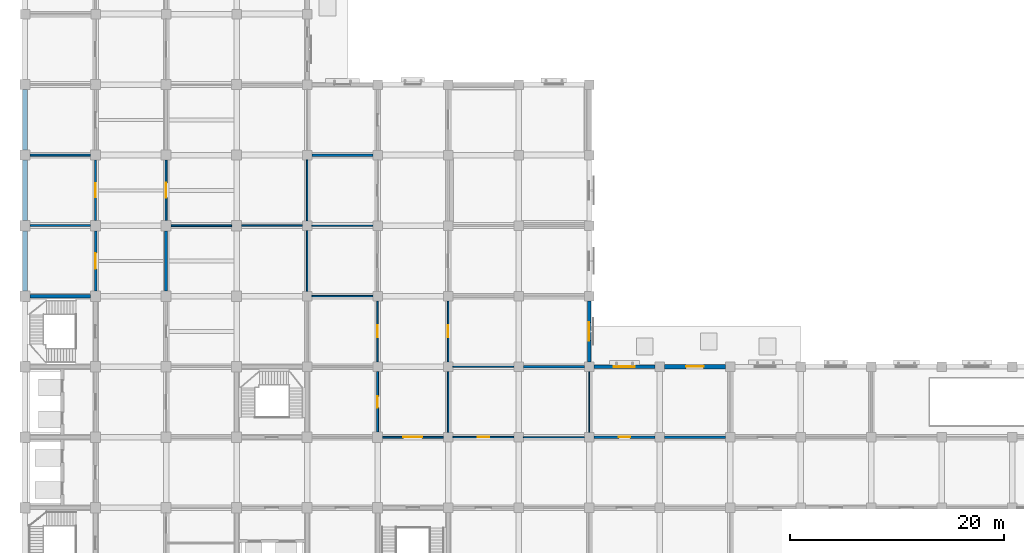
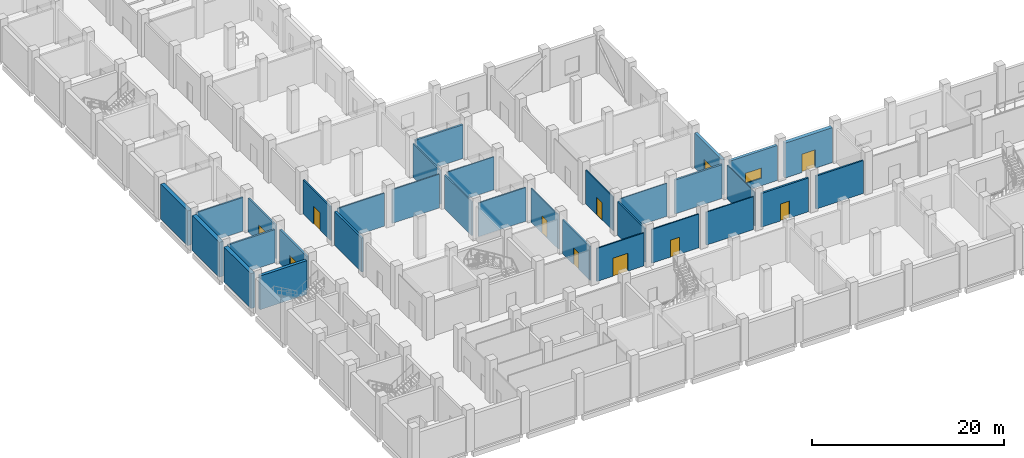
# One storey, part 10 of 28: 32 walls, 10 doors, 2 windows, 12 openings.
"""IFC4 building model written with IfcOpenShell, lengths in metres."""

from ifc_helpers import new_model, si_unit, direction, frame, frame_2d, origin, place, context, subcontext, project, spatial, rectangle, extrude, material, layer, layer_set, type_object, element, fill, save


model = new_model("IFC4")

# Units and contexts
model_context = context("Model", 3, precision=1e-05, world=origin(), true_north=direction((0.0, 1.0)))
body_context = subcontext(model_context, "Body", "Model", "MODEL_VIEW")
ifc_project = project(units=[si_unit("LENGTHUNIT", "METRE"), si_unit("AREAUNIT", "SQUARE_METRE"), si_unit("VOLUMEUNIT", "CUBIC_METRE"), si_unit("PLANEANGLEUNIT", "RADIAN"), si_unit("MASSUNIT", "GRAM", prefix="KILO")], contexts=[model_context])

# Site, building, storey
site_placement = place(None, origin())
site = spatial("IfcSite", under=ifc_project, at=site_placement, CompositionType="ELEMENT")
building_placement = place(site_placement, origin())
building = spatial("IfcBuilding", under=site, at=building_placement, Name="Rusizi Kubbe Research Institute", CompositionType="ELEMENT")
storey_placement = place(building_placement, origin())
storey = spatial("IfcBuildingStorey", under=building, at=storey_placement, Name="L00", CompositionType="ELEMENT", Elevation=0.0)

# Wall
ifc_material_1 = material(Name="Concrete C45/55", Category="concrete")
ifc_layer_1 = layer(ifc_material_1, 0.35009765625)
ifc_layer_set_1 = layer_set([ifc_layer_1], Name="Concrete C45/55")
wall_type_1 = type_object("IfcWallType", Name="CRW-01", PredefinedType="SHEAR", material=ifc_layer_set_1)
wall_1_placement = place(storey_placement, frame((0.47509765625, 33.0, 0.0), z_axis=(0.0, 0.0, 1.0), x_axis=(1.0, 0.0, 0.0)))
element("IfcWall", 1, at=wall_1_placement, inside=storey, type_object=wall_type_1, Name="Stair Core Shear Wall ST2 L00 N", PredefinedType="SHEAR", context=body_context, shape_type="SweptSolid", body=[
    extrude(rectangle(XDim=5.64990234375, YDim=0.35009765625, at=frame_2d((2.824951171875, 0.0))), origin(), (0.0, 0.0, 1.0), 4.300048828125),
])

# Wall, opening, door
ifc_material_2 = material(Name="Volcanic Basalt Ashlar Masonry", Category="masonry")
ifc_layer_2 = layer(ifc_material_2, 0.43994140625)
ifc_layer_set_2 = layer_set([ifc_layer_2], Name="Volcanic Basalt Ashlar Masonry")
wall_type_2 = type_object("IfcWallType", Name="EW-01", PredefinedType="SOLIDWALL", material=ifc_layer_set_2)
wall_2_placement = place(storey_placement, frame((59.85009765625, 26.39990234375, 0.0), z_axis=(0.0, 0.0, 1.0), x_axis=(1.0, 0.0, 0.0)))
wall_2 = element("IfcWall", 2, at=wall_2_placement, inside=storey, type_object=wall_type_2, Name="Portal Vestibule Infill Wall E8", PredefinedType="SOLIDWALL", context=body_context, shape_type="SweptSolid", body=[
    extrude(rectangle(XDim=5.699951171875, YDim=0.43994140625, at=frame_2d((2.85009765625, 0.0))), origin(), (0.0, 0.0, 1.0), 4.449951171875),
])
opening_1_placement = place(wall_2_placement, frame((2.02490234375, 0.0, 0.0)))
opening_1 = element("IfcOpeningElement", 3, at=opening_1_placement, cuts=wall_2, Name="Opening D-41", PredefinedType="OPENING", context=body_context, shape_type="SweptSolid", body=[
    extrude(rectangle(XDim=1.64990234375, YDim=2.35009765625, at=frame_2d((0.824951171875, 1.175048828125))), frame((0.0, 0.22998046875, 0.0), z_axis=(0.0, -1.0, 0.0), x_axis=(1.0, 0.0, 0.0)), (0.0, 0.0, 1.0), 0.4599609375),
])
ifc_material_3 = material(Name="Insulated Steel and Laminated Safety Glass", Category="steel")
door_type_1 = type_object("IfcDoorType", Name="ED-11", OperationType="DOUBLE_DOOR_SINGLE_SWING", PredefinedType="DOOR", material=ifc_material_3)
door_1_placement = place(opening_1_placement, origin())
door_1 = element("IfcDoor", 4, at=door_1_placement, inside=storey, type_object=door_type_1, Name="Pedestrian Exit Cloister South Arcade Door D-41", OperationType="DOUBLE_DOOR_SINGLE_SWING", OverallHeight=2.35009765625, OverallWidth=1.64990234375, PredefinedType="DOOR", context=body_context, shape_type="SweptSolid", body=[
    extrude(rectangle(XDim=1.64990234375, YDim=2.35009765625, at=frame_2d((0.824951171875, 1.175048828125))), frame((0.0, 0.02490234375, 0.0), z_axis=(0.0, -1.0, 0.0), x_axis=(1.0, 0.0, 0.0)), (0.0, 0.0, 1.0), 0.050048828125),
])
fill(opening_1, door_1)

# Wall, opening, window
ifc_material_4 = material(Name="Volcanic Basalt Ashlar Masonry", Category="masonry")
ifc_layer_3 = layer(ifc_material_4, 0.324951171875)
ifc_layer_set_3 = layer_set([ifc_layer_3], Name="Volcanic Basalt Ashlar Masonry")
wall_type_3 = type_object("IfcWallType", Name="EW-08", PredefinedType="SOLIDWALL", material=ifc_layer_set_3)
wall_3_placement = place(storey_placement, frame((52.800048828125, 26.85009765625, 0.0), z_axis=(0.0, 0.0, 1.0), x_axis=(0.0, 1.0, 0.0)))
wall_3 = element("IfcWall", 5, at=wall_3_placement, inside=storey, type_object=wall_type_3, Name="Ablaq Stone Exterior Wall L00 V8-4", PredefinedType="SOLIDWALL", context=body_context, shape_type="SweptSolid", body=[
    extrude(rectangle(XDim=5.699951171875, YDim=0.324951171875, at=frame_2d((2.85009765625, 0.0))), origin(), (0.0, 0.0, 1.0), 4.449951171875),
])
opening_2_placement = place(wall_3_placement, frame((1.989990234375, 0.0, 0.949951171875)))
opening_2 = element("IfcOpeningElement", 6, at=opening_2_placement, cuts=wall_3, Name="Opening WN-21", PredefinedType="OPENING", context=body_context, shape_type="SweptSolid", body=[
    extrude(rectangle(XDim=1.719970703125, YDim=1.300048828125, at=frame_2d((0.85986328125, 0.64990234375))), frame((0.0, 0.17236328125, 0.0), z_axis=(0.0, -1.0, 0.0), x_axis=(1.0, 0.0, 0.0)), (0.0, 0.0, 1.0), 0.344970703125),
])
ifc_material_5 = material(Name="Aluminium Frame and Solar-Control Double Glazing", Category="glass")
window_type_1 = type_object("IfcWindowType", Name="WN-21", PartitioningType="DOUBLE_PANEL_VERTICAL", PredefinedType="WINDOW", material=ifc_material_5)
window_1_placement = place(opening_2_placement, origin())
window_1 = element("IfcWindow", 7, at=window_1_placement, inside=storey, type_object=window_type_1, Name="Casement Window WN-21 L00", OverallHeight=1.300048828125, OverallWidth=1.719970703125, PartitioningType="DOUBLE_PANEL_VERTICAL", PredefinedType="WINDOW", context=body_context, shape_type="SweptSolid", body=[
    extrude(rectangle(XDim=1.719970703125, YDim=1.300048828125, at=frame_2d((0.85986328125, 0.64990234375))), frame((0.0, 0.030029296875, 0.0), z_axis=(0.0, -1.0, 0.0), x_axis=(1.0, 0.0, 0.0)), (0.0, 0.0, 1.0), 0.06005859375),
])
fill(opening_2, window_1)

wall_4_placement = place(storey_placement, frame((53.25, 26.39990234375, 0.0), z_axis=(0.0, 0.0, 1.0), x_axis=(1.0, 0.0, 0.0)))
wall_4 = element("IfcWall", 8, at=wall_4_placement, inside=storey, type_object=wall_type_3, Name="Ablaq Stone Exterior Wall L00 H8-4", PredefinedType="SOLIDWALL", context=body_context, shape_type="SweptSolid", body=[
    extrude(rectangle(XDim=5.699951171875, YDim=0.324951171875, at=frame_2d((2.85009765625, 0.0))), origin(), (0.0, 0.0, 1.0), 4.449951171875),
])
opening_3_placement = place(wall_4_placement, frame((1.8701171875, 0.0, 0.949951171875)))
opening_3 = element("IfcOpeningElement", 9, at=opening_3_placement, cuts=wall_4, Name="Opening WN-25", PredefinedType="OPENING", context=body_context, shape_type="SweptSolid", body=[
    extrude(rectangle(XDim=1.9599609375, YDim=1.300048828125, at=frame_2d((0.97998046875, 0.64990234375))), frame((0.0, 0.17236328125, 0.0), z_axis=(0.0, -1.0, 0.0), x_axis=(1.0, 0.0, 0.0)), (0.0, 0.0, 1.0), 0.344970703125),
])
ifc_material_6 = material(Name="Aluminium Frame and Solar-Control Double Glazing", Category="glass")
window_type_2 = type_object("IfcWindowType", Name="WN-25", PartitioningType="DOUBLE_PANEL_VERTICAL", PredefinedType="WINDOW", material=ifc_material_6)
window_2_placement = place(opening_3_placement, origin())
window_2 = element("IfcWindow", 10, at=window_2_placement, inside=storey, type_object=window_type_2, Name="Casement Window WN-25 L00", OverallHeight=1.300048828125, OverallWidth=1.9599609375, PartitioningType="DOUBLE_PANEL_VERTICAL", PredefinedType="WINDOW", context=body_context, shape_type="SweptSolid", body=[
    extrude(rectangle(XDim=1.9599609375, YDim=1.300048828125, at=frame_2d((0.97998046875, 0.64990234375))), frame((0.0, 0.030029296875, 0.0), z_axis=(0.0, -1.0, 0.0), x_axis=(1.0, 0.0, 0.0)), (0.0, 0.0, 1.0), 0.06005859375),
])
fill(opening_3, window_2)

# Wall, opening, door
ifc_material_7 = material(Name="Concrete Blockwork Fire Partition", Category="masonry")
ifc_layer_4 = layer(ifc_material_7, 0.22509765625)
ifc_layer_set_4 = layer_set([ifc_layer_4], Name="Concrete Blockwork Fire Partition")
wall_type_4 = type_object("IfcWallType", Name="IW-01", PredefinedType="PARTITIONING", material=ifc_layer_set_4)
wall_5_placement = place(storey_placement, frame((6.60009765625, 33.47509765625, 0.0), z_axis=(0.0, 0.0, 1.0), x_axis=(0.0, 1.0, 0.0)))
wall_5 = element("IfcWall", 11, at=wall_5_placement, inside=storey, type_object=wall_type_4, Name="Interior Partition Wall L00 V1-5", PredefinedType="PARTITIONING", context=body_context, shape_type="SweptSolid", body=[
    extrude(rectangle(XDim=5.64990234375, YDim=0.22509765625, at=frame_2d((2.824951171875, 0.0))), origin(), (0.0, 0.0, 1.0), 4.300048828125),
])
opening_4_placement = place(wall_5_placement, frame((2.0849609375, 0.0, 0.0)))
opening_4 = element("IfcOpeningElement", 12, at=opening_4_placement, cuts=wall_5, Name="Opening LD-08", PredefinedType="OPENING", context=body_context, shape_type="SweptSolid", body=[
    extrude(rectangle(XDim=1.47998046875, YDim=2.25, at=frame_2d((0.739990234375, 1.125))), frame((0.0, 0.12255859375, 0.0), z_axis=(0.0, -1.0, 0.0), x_axis=(1.0, 0.0, 0.0)), (0.0, 0.0, 1.0), 0.2451171875),
])
ifc_material_8 = material(Name="Brushed Stainless Steel Sliding Door", Category="steel")
door_type_2 = type_object("IfcDoorType", Name="LD-08", OperationType="DOUBLE_DOOR_SLIDING", PredefinedType="USERDEFINED", material=ifc_material_8)
door_2_placement = place(opening_4_placement, origin())
door_2 = element("IfcDoor", 13, at=door_2_placement, inside=storey, type_object=door_type_2, Name="Door to Clean Room Gowning Airlock (L00-ALK-05)", ObjectType="SLIDING DOOR", OperationType="DOUBLE_DOOR_SLIDING", OverallHeight=2.25, OverallWidth=1.47998046875, PredefinedType="USERDEFINED", context=body_context, shape_type="SweptSolid", body=[
    extrude(rectangle(XDim=1.47998046875, YDim=2.25, at=frame_2d((0.739990234375, 1.125))), frame((0.0, 0.02490234375, 0.0), z_axis=(0.0, -1.0, 0.0), x_axis=(1.0, 0.0, 0.0)), (0.0, 0.0, 1.0), 0.050048828125),
])
fill(opening_4, door_2)

# Walls
wall_6_placement = place(storey_placement, frame((26.85009765625, 46.199951171875, 0.0), z_axis=(0.0, 0.0, 1.0), x_axis=(1.0, 0.0, 0.0)))
element("IfcWall", 14, at=wall_6_placement, inside=storey, type_object=wall_type_4, Name="Interior Partition Wall L00 H4-7", PredefinedType="PARTITIONING", context=body_context, shape_type="SweptSolid", body=[
    extrude(rectangle(XDim=5.699951171875, YDim=0.22509765625, at=frame_2d((2.85009765625, 0.0))), origin(), (0.0, 0.0, 1.0), 4.300048828125),
])
wall_7_placement = place(storey_placement, frame((46.64990234375, 26.39990234375, 0.0), z_axis=(0.0, 0.0, 1.0), x_axis=(1.0, 0.0, 0.0)))
element("IfcWall", 15, at=wall_7_placement, inside=storey, type_object=wall_type_4, Name="Interior Partition Wall L00 H7-4", PredefinedType="PARTITIONING", context=body_context, shape_type="SweptSolid", body=[
    extrude(rectangle(XDim=5.7001953125, YDim=0.22509765625, at=frame_2d((2.85009765625, 0.0))), origin(), (0.0, 0.0, 1.0), 4.300048828125),
])

# Wall, opening, door
wall_8_placement = place(storey_placement, frame((53.25, 19.800048828125, 0.0), z_axis=(0.0, 0.0, 1.0), x_axis=(1.0, 0.0, 0.0)))
wall_8 = element("IfcWall", 16, at=wall_8_placement, inside=storey, type_object=wall_type_4, Name="Interior Partition Wall L00 H8-3", PredefinedType="PARTITIONING", context=body_context, shape_type="SweptSolid", body=[
    extrude(rectangle(XDim=5.699951171875, YDim=0.22509765625, at=frame_2d((2.85009765625, 0.0))), origin(), (0.0, 0.0, 1.0), 4.300048828125),
])
opening_5_placement = place(wall_8_placement, frame((2.324951171875, 0.0, 0.0)))
opening_5 = element("IfcOpeningElement", 17, at=opening_5_placement, cuts=wall_8, Name="Opening D-16", PredefinedType="OPENING", context=body_context, shape_type="SweptSolid", body=[
    extrude(rectangle(XDim=1.050048828125, YDim=2.14990234375, at=frame_2d((0.52490234375, 1.074951171875))), frame((0.0, 0.12255859375, 0.0), z_axis=(0.0, -1.0, 0.0), x_axis=(1.0, 0.0, 0.0)), (0.0, 0.0, 1.0), 0.2451171875),
])
ifc_material_9 = material(Name="Fire-Rated Steel Frame and Acoustic Timber Leaf", Category="wood")
door_type_3 = type_object("IfcDoorType", Name="ID-OFF-105", OperationType="NOTDEFINED", PredefinedType="DOOR", material=ifc_material_9)
door_3_placement = place(opening_5_placement, origin())
door_3 = element("IfcDoor", 18, at=door_3_placement, inside=storey, type_object=door_type_3, Name="Door to Write-up Office (L00-EWN-01)", OperationType="SINGLE_SWING_LEFT", OverallHeight=2.14990234375, OverallWidth=1.050048828125, PredefinedType="DOOR", context=body_context, shape_type="SweptSolid", body=[
    extrude(rectangle(XDim=1.050048828125, YDim=2.14990234375, at=frame_2d((0.52490234375, 1.074951171875))), frame((0.0, 0.02490234375, 0.0), z_axis=(0.0, -1.0, 0.0), x_axis=(1.0, 0.0, 0.0)), (0.0, 0.0, 1.0), 0.050048828125),
])
fill(opening_5, door_3)

# Wall
ifc_material_10 = material(Name="Insulated Cleanroom Partition", Category="masonry")
ifc_layer_5 = layer(ifc_material_10, 0.195068359375)
ifc_layer_set_5 = layer_set([ifc_layer_5], Name="Insulated Cleanroom Partition")
wall_type_5 = type_object("IfcWallType", Name="IW-02", PredefinedType="PARTITIONING", material=ifc_layer_set_5)
wall_9_placement = place(storey_placement, frame((0.47509765625, 39.60009765625, 0.0), z_axis=(0.0, 0.0, 1.0), x_axis=(1.0, 0.0, 0.0)))
element("IfcWall", 19, at=wall_9_placement, inside=storey, type_object=wall_type_5, Name="Interior Partition Wall L00 H0-6", PredefinedType="PARTITIONING", context=body_context, shape_type="SweptSolid", body=[
    extrude(rectangle(XDim=5.64990234375, YDim=0.195068359375, at=frame_2d((2.824951171875, 0.0))), origin(), (0.0, 0.0, 1.0), 4.199951171875),
])

# Wall, opening, door
wall_10_placement = place(storey_placement, frame((6.60009765625, 40.074951171875, 0.0), z_axis=(0.0, 0.0, 1.0), x_axis=(0.0, 1.0, 0.0)))
wall_10 = element("IfcWall", 20, at=wall_10_placement, inside=storey, type_object=wall_type_5, Name="Interior Partition Wall L00 V1-6", PredefinedType="PARTITIONING", context=body_context, shape_type="SweptSolid", body=[
    extrude(rectangle(XDim=5.650146484375, YDim=0.195068359375, at=frame_2d((2.8251953125, 0.0))), origin(), (0.0, 0.0, 1.0), 4.300048828125),
])
opening_6_placement = place(wall_10_placement, frame((2.1650390625, 0.0, 0.0)))
opening_6 = element("IfcOpeningElement", 21, at=opening_6_placement, cuts=wall_10, Name="Opening LD-07", PredefinedType="OPENING", context=body_context, shape_type="SweptSolid", body=[
    extrude(rectangle(XDim=1.320068359375, YDim=2.199951171875, at=frame_2d((0.66015625, 1.10009765625))), frame((0.0, 0.107421875, 0.0), z_axis=(0.0, -1.0, 0.0), x_axis=(1.0, 0.0, 0.0)), (0.0, 0.0, 1.0), 0.215087890625),
])
ifc_material_11 = material(Name="Brushed Stainless Steel Sliding Door", Category="steel")
door_type_4 = type_object("IfcDoorType", Name="LD-07", OperationType="DOUBLE_DOOR_SLIDING", PredefinedType="USERDEFINED", material=ifc_material_11)
door_4_placement = place(opening_6_placement, origin())
door_4 = element("IfcDoor", 22, at=door_4_placement, inside=storey, type_object=door_type_4, Name="Door to ISO-6 Clean Room Suite (L00-CR-06)", ObjectType="SLIDING DOOR", OperationType="DOUBLE_DOOR_SLIDING", OverallHeight=2.199951171875, OverallWidth=1.320068359375, PredefinedType="USERDEFINED", context=body_context, shape_type="SweptSolid", body=[
    extrude(rectangle(XDim=1.320068359375, YDim=2.199951171875, at=frame_2d((0.66015625, 1.10009765625))), frame((0.0, 0.02490234375, 0.0), z_axis=(0.0, -1.0, 0.0), x_axis=(1.0, 0.0, 0.0)), (0.0, 0.0, 1.0), 0.050048828125),
])
fill(opening_6, door_4)

# Walls
wall_11_placement = place(storey_placement, frame((59.85009765625, 19.800048828125, 0.0), z_axis=(0.0, 0.0, 1.0), x_axis=(1.0, 0.0, 0.0)))
element("IfcWall", 23, at=wall_11_placement, inside=storey, type_object=wall_type_5, Name="Interior Partition Wall L00 H9-3", PredefinedType="PARTITIONING", context=body_context, shape_type="SweptSolid", body=[
    extrude(rectangle(XDim=5.699951171875, YDim=0.195068359375, at=frame_2d((2.85009765625, 0.0))), origin(), (0.0, 0.0, 1.0), 4.199951171875),
])
ifc_material_12 = material(Name="Acoustic Laboratory Partition", Category="masonry")
ifc_layer_6 = layer(ifc_material_12, 0.175048828125)
ifc_layer_set_6 = layer_set([ifc_layer_6], Name="Acoustic Laboratory Partition")
wall_type_6 = type_object("IfcWallType", Name="IW-03", PredefinedType="PARTITIONING", material=ifc_layer_set_6)
wall_12_placement = place(storey_placement, frame((0.47509765625, 46.199951171875, 0.0), z_axis=(0.0, 0.0, 1.0), x_axis=(1.0, 0.0, 0.0)))
element("IfcWall", 24, at=wall_12_placement, inside=storey, type_object=wall_type_6, Name="Interior Partition Wall L00 H0-7", PredefinedType="PARTITIONING", context=body_context, shape_type="SweptSolid", body=[
    extrude(rectangle(XDim=5.64990234375, YDim=0.175048828125, at=frame_2d((2.824951171875, 0.0))), origin(), (0.0, 0.0, 1.0), 4.300048828125),
])

# Wall, opening, door
wall_13_placement = place(storey_placement, frame((13.199951171875, 40.074951171875, 0.0), z_axis=(0.0, 0.0, 1.0), x_axis=(0.0, 1.0, 0.0)))
wall_13 = element("IfcWall", 25, at=wall_13_placement, inside=storey, type_object=wall_type_6, Name="Interior Partition Wall L00 V2-6", PredefinedType="PARTITIONING", context=body_context, shape_type="SweptSolid", body=[
    extrude(rectangle(XDim=5.650146484375, YDim=0.175048828125, at=frame_2d((2.8251953125, 0.0))), origin(), (0.0, 0.0, 1.0), 4.300048828125),
])
opening_7_placement = place(wall_13_placement, frame((2.125, 0.0, 0.0)))
opening_7 = element("IfcOpeningElement", 26, at=opening_7_placement, cuts=wall_13, Name="Opening D-12", PredefinedType="OPENING", context=body_context, shape_type="SweptSolid", body=[
    extrude(rectangle(XDim=1.39990234375, YDim=2.25, at=frame_2d((0.699951171875, 1.125))), frame((0.0, 0.097412109375, 0.0), z_axis=(0.0, -1.0, 0.0), x_axis=(1.0, 0.0, 0.0)), (0.0, 0.0, 1.0), 0.195068359375),
])
ifc_material_13 = material(Name="Fire-Rated Steel Frame and Acoustic Timber Leaf", Category="wood")
door_type_5 = type_object("IfcDoorType", Name="ID-LAB-140", OperationType="NOTDEFINED", PredefinedType="DOOR", material=ifc_material_13)
door_5_placement = place(opening_7_placement, origin())
door_5 = element("IfcDoor", 27, at=door_5_placement, inside=storey, type_object=door_type_5, Name="Door to Bioscience Wet Laboratory (L00-NW-03)", OperationType="SINGLE_SWING_RIGHT", OverallHeight=2.25, OverallWidth=1.39990234375, PredefinedType="DOOR", context=body_context, shape_type="SweptSolid", body=[
    extrude(rectangle(XDim=1.39990234375, YDim=2.25, at=frame_2d((0.699951171875, 1.125))), frame((0.0, 0.02490234375, 0.0), z_axis=(0.0, -1.0, 0.0), x_axis=(1.0, 0.0, 0.0)), (0.0, 0.0, 1.0), 0.050048828125),
])
fill(opening_7, door_5)

wall_14_placement = place(storey_placement, frame((33.0, 20.27490234375, 0.0), z_axis=(0.0, 0.0, 1.0), x_axis=(0.0, 1.0, 0.0)))
wall_14 = element("IfcWall", 28, at=wall_14_placement, inside=storey, type_object=wall_type_6, Name="Interior Partition Wall L00 V5-3", PredefinedType="PARTITIONING", context=body_context, shape_type="SweptSolid", body=[
    extrude(rectangle(XDim=5.675048828125, YDim=0.175048828125, at=frame_2d((2.83740234375, 0.0))), origin(), (0.0, 0.0, 1.0), 4.300048828125),
])
opening_8_placement = place(wall_14_placement, frame((2.284912109375, 0.0, 0.0)))
opening_8 = element("IfcOpeningElement", 29, at=opening_8_placement, cuts=wall_14, Name="Opening D-17", PredefinedType="OPENING", context=body_context, shape_type="SweptSolid", body=[
    extrude(rectangle(XDim=1.080078125, YDim=2.14990234375, at=frame_2d((0.5400390625, 1.074951171875))), frame((0.0, 0.097412109375, 0.0), z_axis=(0.0, -1.0, 0.0), x_axis=(1.0, 0.0, 0.0)), (0.0, 0.0, 1.0), 0.195068359375),
])
ifc_material_14 = material(Name="Fire-Rated Steel Frame and Acoustic Timber Leaf", Category="wood")
door_type_6 = type_object("IfcDoorType", Name="ID-OFF-108", OperationType="NOTDEFINED", PredefinedType="DOOR", material=ifc_material_14)
door_6_placement = place(opening_8_placement, origin())
door_6 = element("IfcDoor", 30, at=door_6_placement, inside=storey, type_object=door_type_6, Name="Door to Write-up Office (L00-ELBW-03)", OperationType="SINGLE_SWING_RIGHT", OverallHeight=2.14990234375, OverallWidth=1.080078125, PredefinedType="DOOR", context=body_context, shape_type="SweptSolid", body=[
    extrude(rectangle(XDim=1.080078125, YDim=2.14990234375, at=frame_2d((0.5400390625, 1.074951171875))), frame((0.0, 0.02490234375, 0.0), z_axis=(0.0, -1.0, 0.0), x_axis=(1.0, 0.0, 0.0)), (0.0, 0.0, 1.0), 0.050048828125),
])
fill(opening_8, door_6)

# Walls
ifc_material_15 = material(Name="Fire-Rated Corridor Partition", Category="masonry")
ifc_layer_7 = layer(ifc_material_15, 0.155029296875)
ifc_layer_set_7 = layer_set([ifc_layer_7], Name="Fire-Rated Corridor Partition")
wall_type_7 = type_object("IfcWallType", Name="IW-04", PredefinedType="PARTITIONING", material=ifc_layer_set_7)
wall_15_placement = place(storey_placement, frame((13.675048828125, 39.60009765625, 0.0), z_axis=(0.0, 0.0, 1.0), x_axis=(1.0, 0.0, 0.0)))
element("IfcWall", 31, at=wall_15_placement, inside=storey, type_object=wall_type_7, Name="Interior Partition Wall L00 H2-6", PredefinedType="PARTITIONING", context=body_context, shape_type="SweptSolid", body=[
    extrude(rectangle(XDim=5.64990234375, YDim=0.155029296875, at=frame_2d((2.824951171875, 0.0))), origin(), (0.0, 0.0, 1.0), 4.199951171875),
])
wall_16_placement = place(storey_placement, frame((26.39990234375, 33.449951171875, 0.0), z_axis=(0.0, 0.0, 1.0), x_axis=(0.0, 1.0, 0.0)))
element("IfcWall", 32, at=wall_16_placement, inside=storey, type_object=wall_type_7, Name="Interior Partition Wall L00 V4-5", PredefinedType="PARTITIONING", context=body_context, shape_type="SweptSolid", body=[
    extrude(rectangle(XDim=5.699951171875, YDim=0.155029296875, at=frame_2d((2.85009765625, 0.0))), origin(), (0.0, 0.0, 1.0), 4.300048828125),
])

# Wall, opening, door
wall_17_placement = place(storey_placement, frame((33.0, 26.85009765625, 0.0), z_axis=(0.0, 0.0, 1.0), x_axis=(0.0, 1.0, 0.0)))
wall_17 = element("IfcWall", 33, at=wall_17_placement, inside=storey, type_object=wall_type_7, Name="Interior Partition Wall L00 V5-4", PredefinedType="PARTITIONING", context=body_context, shape_type="SweptSolid", body=[
    extrude(rectangle(XDim=5.699951171875, YDim=0.155029296875, at=frame_2d((2.85009765625, 0.0))), origin(), (0.0, 0.0, 1.0), 4.300048828125),
])
opening_9_placement = place(wall_17_placement, frame((2.2900390625, 0.0, 0.0)))
opening_9 = element("IfcOpeningElement", 34, at=opening_9_placement, cuts=wall_17, Name="Opening D-18", PredefinedType="OPENING", context=body_context, shape_type="SweptSolid", body=[
    extrude(rectangle(XDim=1.1201171875, YDim=2.199951171875, at=frame_2d((0.56005859375, 1.10009765625))), frame((0.0, 0.08740234375, 0.0), z_axis=(0.0, -1.0, 0.0), x_axis=(1.0, 0.0, 0.0)), (0.0, 0.0, 1.0), 0.175048828125),
])
ifc_material_16 = material(Name="Fire-Rated Steel Frame and Acoustic Timber Leaf", Category="wood")
door_type_7 = type_object("IfcDoorType", Name="ID-OFF-112", OperationType="NOTDEFINED", PredefinedType="DOOR", material=ifc_material_16)
door_7_placement = place(opening_9_placement, origin())
door_7 = element("IfcDoor", 35, at=door_7_placement, inside=storey, type_object=door_type_7, Name="Door to Write-up Office (L00-ELBW-04)", OperationType="SINGLE_SWING_LEFT", OverallHeight=2.199951171875, OverallWidth=1.1201171875, PredefinedType="DOOR", context=body_context, shape_type="SweptSolid", body=[
    extrude(rectangle(XDim=1.1201171875, YDim=2.199951171875, at=frame_2d((0.56005859375, 1.10009765625))), frame((0.0, 0.02490234375, 0.0), z_axis=(0.0, -1.0, 0.0), x_axis=(1.0, 0.0, 0.0)), (0.0, 0.0, 1.0), 0.050048828125),
])
fill(opening_9, door_7)

wall_18_placement = place(storey_placement, frame((33.47509765625, 19.800048828125, 0.0), z_axis=(0.0, 0.0, 1.0), x_axis=(1.0, 0.0, 0.0)))
wall_18 = element("IfcWall", 36, at=wall_18_placement, inside=storey, type_object=wall_type_7, Name="Interior Partition Wall L00 H5-3", PredefinedType="PARTITIONING", context=body_context, shape_type="SweptSolid", body=[
    extrude(rectangle(XDim=5.6748046875, YDim=0.155029296875, at=frame_2d((2.83740234375, 0.0))), origin(), (0.0, 0.0, 1.0), 4.199951171875),
])
opening_10_placement = place(wall_18_placement, frame((1.925048828125, 0.0, 0.0)))
opening_10 = element("IfcOpeningElement", 37, at=opening_10_placement, cuts=wall_18, Name="Opening D-08", PredefinedType="OPENING", context=body_context, shape_type="SweptSolid", body=[
    extrude(rectangle(XDim=1.800048828125, YDim=2.300048828125, at=frame_2d((0.89990234375, 1.14990234375))), frame((0.0, 0.08740234375, 0.0), z_axis=(0.0, -1.0, 0.0), x_axis=(1.0, 0.0, 0.0)), (0.0, 0.0, 1.0), 0.175048828125),
])
ifc_material_17 = material(Name="Fire-Rated Steel Frame and Acoustic Timber Leaf", Category="wood")
door_type_8 = type_object("IfcDoorType", Name="ID-DBL-180", OperationType="DOUBLE_DOOR_SINGLE_SWING", PredefinedType="DOOR", material=ifc_material_17)
door_8_placement = place(opening_10_placement, origin())
door_8 = element("IfcDoor", 38, at=door_8_placement, inside=storey, type_object=door_type_8, Name="Door to Revak Cloister Gallery (L00-GAL-01)", OperationType="DOUBLE_DOOR_SINGLE_SWING", OverallHeight=2.300048828125, OverallWidth=1.800048828125, PredefinedType="DOOR", context=body_context, shape_type="SweptSolid", body=[
    extrude(rectangle(XDim=1.800048828125, YDim=2.300048828125, at=frame_2d((0.89990234375, 1.14990234375))), frame((0.0, 0.02490234375, 0.0), z_axis=(0.0, -1.0, 0.0), x_axis=(1.0, 0.0, 0.0)), (0.0, 0.0, 1.0), 0.050048828125),
])
fill(opening_10, door_8)

# Walls
wall_19_placement = place(storey_placement, frame((39.60009765625, 20.25, 0.0), z_axis=(0.0, 0.0, 1.0), x_axis=(0.0, 1.0, 0.0)))
element("IfcWall", 39, at=wall_19_placement, inside=storey, type_object=wall_type_7, Name="Interior Partition Wall L00 V6-3", PredefinedType="PARTITIONING", context=body_context, shape_type="SweptSolid", body=[
    extrude(rectangle(XDim=5.699951171875, YDim=0.155029296875, at=frame_2d((2.85009765625, 0.0))), origin(), (0.0, 0.0, 1.0), 4.300048828125),
])
ifc_material_18 = material(Name="Write-up Glazed Acoustic Partition", Category="masonry")
ifc_layer_8 = layer(ifc_material_18, 0.139892578125)
ifc_layer_set_8 = layer_set([ifc_layer_8], Name="Write-up Glazed Acoustic Partition")
wall_type_8 = type_object("IfcWallType", Name="IW-05", PredefinedType="PARTITIONING", material=ifc_layer_set_8)
wall_20_placement = place(storey_placement, frame((20.27490234375, 39.60009765625, 0.0), z_axis=(0.0, 0.0, 1.0), x_axis=(1.0, 0.0, 0.0)))
element("IfcWall", 40, at=wall_20_placement, inside=storey, type_object=wall_type_8, Name="Interior Partition Wall L00 H3-6", PredefinedType="PARTITIONING", context=body_context, shape_type="SweptSolid", body=[
    extrude(rectangle(XDim=5.675048828125, YDim=0.139892578125, at=frame_2d((2.83740234375, 0.0))), origin(), (0.0, 0.0, 1.0), 4.300048828125),
])
for number, where, z_axis, x_axis, name in (
    (41, (26.39990234375, 40.050048828125, 0.0), (0.0, 0.0, 1.0), (0.0, 1.0, 0.0), "Interior Partition Wall L00 V4-6"),
    (42, (26.85009765625, 33.0, 0.0), (0.0, 0.0, 1.0), (1.0, 0.0, 0.0), "Interior Partition Wall L00 H4-5"),
):
    element("IfcWall", number, at=place(storey_placement, frame(where, z_axis=z_axis, x_axis=x_axis)), inside=storey, type_object=wall_type_8, Name=name, PredefinedType="PARTITIONING", context=body_context, shape_type="SweptSolid", body=[
        extrude(rectangle(XDim=5.699951171875, YDim=0.139892578125, at=frame_2d((2.85009765625, 0.0))), origin(), (0.0, 0.0, 1.0), 4.300048828125),
    ])

# Wall, opening, door
wall_21_placement = place(storey_placement, frame((39.60009765625, 26.85009765625, 0.0), z_axis=(0.0, 0.0, 1.0), x_axis=(0.0, 1.0, 0.0)))
wall_21 = element("IfcWall", 43, at=wall_21_placement, inside=storey, type_object=wall_type_8, Name="Interior Partition Wall L00 V6-4", PredefinedType="PARTITIONING", context=body_context, shape_type="SweptSolid", body=[
    extrude(rectangle(XDim=5.699951171875, YDim=0.139892578125, at=frame_2d((2.85009765625, 0.0))), origin(), (0.0, 0.0, 1.0), 4.300048828125),
])
opening_11_placement = place(wall_21_placement, frame((2.2900390625, 0.0, 0.0)))
opening_11 = element("IfcOpeningElement", 44, at=opening_11_placement, cuts=wall_21, Name="Opening D-18", PredefinedType="OPENING", context=body_context, shape_type="SweptSolid", body=[
    extrude(rectangle(XDim=1.1201171875, YDim=2.199951171875, at=frame_2d((0.56005859375, 1.10009765625))), frame((0.0, 0.079833984375, 0.0), z_axis=(0.0, -1.0, 0.0), x_axis=(1.0, 0.0, 0.0)), (0.0, 0.0, 1.0), 0.159912109375),
])
door_9_placement = place(opening_11_placement, origin())
door_9 = element("IfcDoor", 45, at=door_9_placement, inside=storey, type_object=door_type_7, Name="Door to Write-up Office (L00-ELBE-04)", OperationType="SINGLE_SWING_LEFT", OverallHeight=2.199951171875, OverallWidth=1.1201171875, PredefinedType="DOOR", context=body_context, shape_type="SweptSolid", body=[
    extrude(rectangle(XDim=1.1201171875, YDim=2.199951171875, at=frame_2d((0.56005859375, 1.10009765625))), frame((0.0, 0.02490234375, 0.0), z_axis=(0.0, -1.0, 0.0), x_axis=(1.0, 0.0, 0.0)), (0.0, 0.0, 1.0), 0.050048828125),
])
fill(opening_11, door_9)

wall_22_placement = place(storey_placement, frame((40.050048828125, 19.800048828125, 0.0), z_axis=(0.0, 0.0, 1.0), x_axis=(1.0, 0.0, 0.0)))
wall_22 = element("IfcWall", 46, at=wall_22_placement, inside=storey, type_object=wall_type_8, Name="Interior Partition Wall L00 H6-3", PredefinedType="PARTITIONING", context=body_context, shape_type="SweptSolid", body=[
    extrude(rectangle(XDim=5.699951171875, YDim=0.139892578125, at=frame_2d((2.85009765625, 0.0))), origin(), (0.0, 0.0, 1.0), 4.300048828125),
])
opening_12_placement = place(wall_22_placement, frame((2.31005859375, 0.0, 0.0)))
opening_12 = element("IfcOpeningElement", 47, at=opening_12_placement, cuts=wall_22, Name="Opening D-17", PredefinedType="OPENING", context=body_context, shape_type="SweptSolid", body=[
    extrude(rectangle(XDim=1.080078125, YDim=2.14990234375, at=frame_2d((0.5400390625, 1.074951171875))), frame((0.0, 0.079833984375, 0.0), z_axis=(0.0, -1.0, 0.0), x_axis=(1.0, 0.0, 0.0)), (0.0, 0.0, 1.0), 0.159912109375),
])
door_10_placement = place(opening_12_placement, origin())
door_10 = element("IfcDoor", 48, at=door_10_placement, inside=storey, type_object=door_type_6, Name="Door to Write-up Office (L00-ELBE-03)", OperationType="SINGLE_SWING_RIGHT", OverallHeight=2.14990234375, OverallWidth=1.080078125, PredefinedType="DOOR", context=body_context, shape_type="SweptSolid", body=[
    extrude(rectangle(XDim=1.080078125, YDim=2.14990234375, at=frame_2d((0.5400390625, 1.074951171875))), frame((0.0, 0.02490234375, 0.0), z_axis=(0.0, -1.0, 0.0), x_axis=(1.0, 0.0, 0.0)), (0.0, 0.0, 1.0), 0.050048828125),
])
fill(opening_12, door_10)

# Walls
ifc_material_19 = material(Name="Sub-Suite Fire Partition", Category="masonry")
ifc_layer_9 = layer(ifc_material_19, 0.110107421875)
ifc_layer_set_9 = layer_set([ifc_layer_9], Name="Sub-Suite Fire Partition")
wall_type_9 = type_object("IfcWallType", Name="IW-07", PredefinedType="PARTITIONING", material=ifc_layer_set_9)
for number, where, z_axis, x_axis, name in (
    (49, (26.85009765625, 39.60009765625, 0.0), (0.0, 0.0, 1.0), (1.0, 0.0, 0.0), "Interior Partition Wall L00 H4-6"),
    (50, (40.050048828125, 26.39990234375, 0.0), (0.0, 0.0, 1.0), (1.0, 0.0, 0.0), "Interior Partition Wall L00 H6-4"),
):
    element("IfcWall", number, at=place(storey_placement, frame(where, z_axis=z_axis, x_axis=x_axis)), inside=storey, type_object=wall_type_9, Name=name, PredefinedType="PARTITIONING", context=body_context, shape_type="SweptSolid", body=[
        extrude(rectangle(XDim=5.699951171875, YDim=0.110107421875, at=frame_2d((2.85009765625, 0.0))), origin(), (0.0, 0.0, 1.0), 4.199951171875),
    ])
wall_23_placement = place(storey_placement, frame((46.64990234375, 19.800048828125, 0.0), z_axis=(0.0, 0.0, 1.0), x_axis=(1.0, 0.0, 0.0)))
element("IfcWall", 51, at=wall_23_placement, inside=storey, type_object=wall_type_9, Name="Interior Partition Wall L00 H7-3", PredefinedType="PARTITIONING", context=body_context, shape_type="SweptSolid", body=[
    extrude(rectangle(XDim=5.7001953125, YDim=0.110107421875, at=frame_2d((2.85009765625, 0.0))), origin(), (0.0, 0.0, 1.0), 4.199951171875),
])
wall_24_placement = place(storey_placement, frame((52.800048828125, 20.25, 0.0), z_axis=(0.0, 0.0, 1.0), x_axis=(0.0, 1.0, 0.0)))
element("IfcWall", 52, at=wall_24_placement, inside=storey, type_object=wall_type_9, Name="Interior Partition Wall L00 V8-3", PredefinedType="PARTITIONING", context=body_context, shape_type="SweptSolid", body=[
    extrude(rectangle(XDim=5.699951171875, YDim=0.110107421875, at=frame_2d((2.85009765625, 0.0))), origin(), (0.0, 0.0, 1.0), 4.300048828125),
])
ifc_material_20 = material(Name="Concrete C40/50", Category="concrete")
ifc_layer_10 = layer(ifc_material_20, 0.47998046875)
ifc_layer_set_10 = layer_set([ifc_layer_10], Name="Concrete C40/50")
wall_type_10 = type_object("IfcWallType", Name="PW-01", PredefinedType="SOLIDWALL", material=ifc_layer_set_10)
wall_25_placement = place(storey_placement, frame((0.0, 33.47509765625, 0.0), z_axis=(0.0, 0.0, 1.0), x_axis=(0.0, 1.0, 0.0)))
element("IfcWall", 53, at=wall_25_placement, inside=storey, type_object=wall_type_10, Name="Blind Party Wall L00 V0-5", PredefinedType="SOLIDWALL", context=body_context, shape_type="SweptSolid", body=[
    extrude(rectangle(XDim=5.64990234375, YDim=0.47998046875, at=frame_2d((2.824951171875, 0.0))), origin(), (0.0, 0.0, 1.0), 4.449951171875),
])
wall_26_placement = place(storey_placement, frame((0.0, 40.074951171875, 0.0), z_axis=(0.0, 0.0, 1.0), x_axis=(0.0, 1.0, 0.0)))
element("IfcWall", 54, at=wall_26_placement, inside=storey, type_object=wall_type_10, Name="Blind Party Wall L00 V0-6", PredefinedType="SOLIDWALL", context=body_context, shape_type="SweptSolid", body=[
    extrude(rectangle(XDim=5.650146484375, YDim=0.47998046875, at=frame_2d((2.8251953125, 0.0))), origin(), (0.0, 0.0, 1.0), 4.449951171875),
])
wall_27_placement = place(storey_placement, frame((0.0, 46.675048828125, 0.0), z_axis=(0.0, 0.0, 1.0), x_axis=(0.0, 1.0, 0.0)))
element("IfcWall", 55, at=wall_27_placement, inside=storey, type_object=wall_type_10, Name="Blind Party Wall L00 V0-7", PredefinedType="SOLIDWALL", context=body_context, shape_type="SweptSolid", body=[
    extrude(rectangle(XDim=5.64990234375, YDim=0.47998046875, at=frame_2d((2.824951171875, 0.0))), origin(), (0.0, 0.0, 1.0), 4.449951171875),
])
ifc_material_21 = material(Name="Concrete C40/50", Category="concrete")
ifc_layer_11 = layer(ifc_material_21, 0.2548828125)
ifc_layer_set_11 = layer_set([ifc_layer_11], Name="Concrete C40/50")
wall_type_11 = type_object("IfcWallType", Name="SHW-02", PredefinedType="SHEAR", material=ifc_layer_set_11)
wall_28_placement = place(storey_placement, frame((13.199951171875, 33.47509765625, 0.0), z_axis=(0.0, 0.0, 1.0), x_axis=(0.0, 1.0, 0.0)))
element("IfcWall", 56, at=wall_28_placement, inside=storey, type_object=wall_type_11, Name="Interior Partition Wall L00 V2-5", PredefinedType="SHEAR", context=body_context, shape_type="SweptSolid", body=[
    extrude(rectangle(XDim=5.64990234375, YDim=0.2548828125, at=frame_2d((2.824951171875, 0.0))), origin(), (0.0, 0.0, 1.0), 4.300048828125),
])

save(model, "model.ifc")
